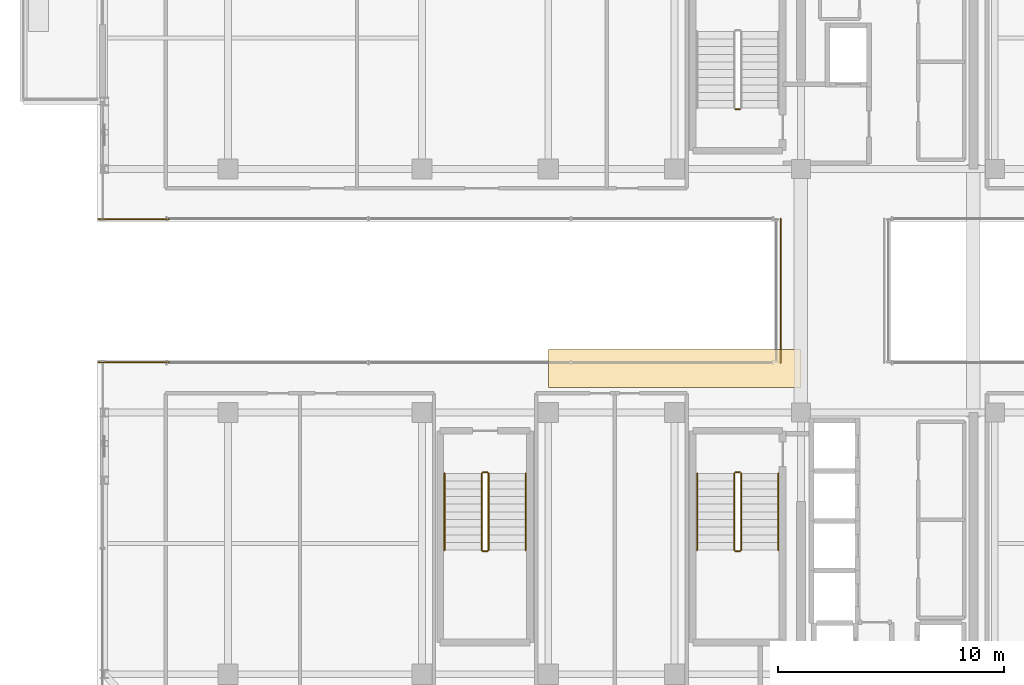
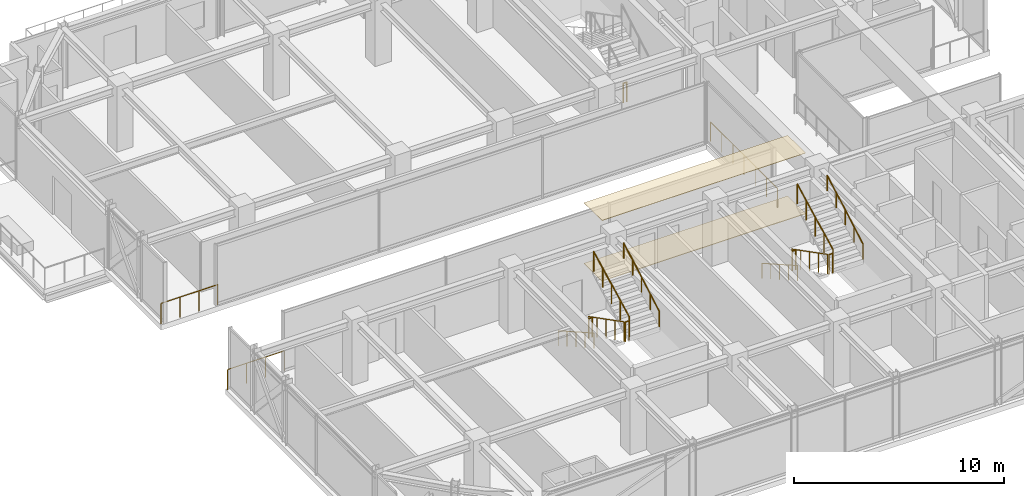
# One storey, part 37 of 40: 16 railings, 2 coverings.
"""IFC4 building model written with IfcOpenShell, lengths in metres."""

from ifc_helpers import new_model, si_unit, direction, frame, origin, origin_2d, place, context, subcontext, project, spatial, polyline, circle, outline, extrude, material, layer, layer_set, type_object, element, save


model = new_model("IFC4")

# Units and contexts
model_context = context("Model", 3, precision=1e-05, world=origin(), true_north=direction((0.0, 1.0)))
body_context = subcontext(model_context, "Body", "Model", "MODEL_VIEW")
ifc_project = project(units=[si_unit("LENGTHUNIT", "METRE"), si_unit("AREAUNIT", "SQUARE_METRE"), si_unit("VOLUMEUNIT", "CUBIC_METRE"), si_unit("PLANEANGLEUNIT", "RADIAN"), si_unit("MASSUNIT", "GRAM", prefix="KILO")], contexts=[model_context])

# Site, building, storey
site_placement = place(None, origin())
site = spatial("IfcSite", under=ifc_project, at=site_placement, CompositionType="ELEMENT")
building_placement = place(site_placement, origin())
building = spatial("IfcBuilding", under=site, at=building_placement, Name="Nahalor Promenade Grand Hotel", CompositionType="ELEMENT")
storey_placement = place(building_placement, frame((0.0, 0.0, 288.800048828125)))
storey = spatial("IfcBuildingStorey", under=building, at=storey_placement, Name="L74", CompositionType="ELEMENT", Elevation=288.800048828125)

# Covering
ifc_material_1 = material(Name="Acoustic Mineral Gypsum", Category="gypsum")
ifc_layer_1 = layer(ifc_material_1, 0.02490234375)
ifc_layer_set_1 = layer_set([ifc_layer_1], Name="Acoustic Mineral Gypsum")
covering_type_1 = type_object("IfcCoveringType", Name="Acoustic Suspended Ceiling Tile", PredefinedType="CEILING", material=ifc_layer_set_1)
covering_1_placement = place(storey_placement, frame((0.0, 0.0, 3.52490234375)))
element("IfcCovering", 1, at=covering_1_placement, inside=storey, type_object=covering_type_1, Name="CV-CEIL-L74", PredefinedType="CEILING", context=body_context, shape_type="SweptSolid", body=[
    extrude(outline(polyline([(-2.800048828125, -4.300048828125), (8.39990234375, -4.300048828125), (8.39990234375, -2.60009765625), (-2.800048828125, -2.60009765625), (-2.800048828125, -4.300048828125)])), origin(), (0.0, 0.0, 1.0), 0.025146484375),
])

# Railings
ifc_material_2 = material(Name="Anodised Bronze Aluminium EN AW-6063 T6", Category="aluminium")
railing_type_1 = type_object("IfcRailingType", Name="Bronze Balcony Guardrail 1200 mm", PredefinedType="GUARDRAIL", material=ifc_material_2)
for number, where, name in (
    (2, (-22.739990234375, -3.1708984375, 0.0), "L74 Oculus Void Edge Guardrail WS"),
    (3, (-22.739990234375, 3.1708984375, 0.0), "L74 Oculus Void Edge Guardrail WN"),
):
    element("IfcRailing", number, at=place(storey_placement, frame(where)), inside=storey, type_object=railing_type_1, Name=name, PredefinedType="GUARDRAIL", context=body_context, shape_type="SweptSolid", body=[
        extrude(circle(Radius=0.024048, at=origin_2d()), frame((0.0, 0.0, 1.17578125), z_axis=(1.0, 0.0, 0.0), x_axis=(0.0, 1.0, 0.0)), (0.0, 0.0, 1.0), 3.119873046875),
        extrude(circle(Radius=0.020996, at=origin_2d()), origin(), (0.0, 0.0, 1.0), 1.14990234375),
        extrude(circle(Radius=0.020996, at=origin_2d()), frame((1.0400390625, 0.0, 0.0)), (0.0, 0.0, 1.0), 1.14990234375),
        extrude(circle(Radius=0.020996, at=origin_2d()), frame((2.079833984375, 0.0, 0.0)), (0.0, 0.0, 1.0), 1.14990234375),
        extrude(circle(Radius=0.020996, at=origin_2d()), frame((3.119873046875, 0.0, 0.0)), (0.0, 0.0, 1.0), 1.14990234375),
    ])
railing_type_2 = type_object("IfcRailingType", Name="Bronze Sky Balustrade 1150 mm", PredefinedType="BALUSTRADE", material=ifc_material_2)
railing_1_placement = place(storey_placement, frame((7.5, -3.19091796875, 0.0)))
element("IfcRailing", 4, at=railing_1_placement, inside=storey, type_object=railing_type_2, Name="BL-L74-BRG-W", PredefinedType="BALUSTRADE", context=body_context, shape_type="SweptSolid", body=[
    extrude(circle(Radius=0.024048, at=origin_2d()), frame((0.0, 0.0, 1.1259765625), z_axis=(0.0, 1.0, 0.0), x_axis=(-1.0, 0.0, 0.0)), (0.0, 0.0, 1.0), 6.3818359375),
    extrude(circle(Radius=0.020996, at=origin_2d()), origin(), (0.0, 0.0, 1.0), 1.099853515625),
    extrude(circle(Radius=0.020996, at=origin_2d()), frame((0.0, 1.063720703125, 0.0)), (0.0, 0.0, 1.0), 1.099853515625),
    extrude(circle(Radius=0.020996, at=origin_2d()), frame((0.0, 2.127197265625, 0.0)), (0.0, 0.0, 1.0), 1.099853515625),
    extrude(circle(Radius=0.020996, at=origin_2d()), frame((0.0, 3.19091796875, 0.0)), (0.0, 0.0, 1.0), 1.099853515625),
    extrude(circle(Radius=0.020996, at=origin_2d()), frame((0.0, 4.254638671875, 0.0)), (0.0, 0.0, 1.0), 1.099853515625),
    extrude(circle(Radius=0.020996, at=origin_2d()), frame((0.0, 5.318115234375, 0.0)), (0.0, 0.0, 1.0), 1.099853515625),
    extrude(circle(Radius=0.020996, at=origin_2d()), frame((0.0, 6.3818359375, 0.0)), (0.0, 0.0, 1.0), 1.099853515625),
])

# Covering
ifc_material_3 = material(Name="Jerusalem Limestone Flooring", Category="masonry")
ifc_layer_2 = layer(ifc_material_3, 0.030029296875)
ifc_layer_set_2 = layer_set([ifc_layer_2], Name="Jerusalem Limestone Flooring")
covering_type_2 = type_object("IfcCoveringType", Name="Honed Limestone Floor Finish", PredefinedType="FLOORING", material=ifc_layer_set_2)
covering_2_placement = place(storey_placement, origin())
element("IfcCovering", 5, at=covering_2_placement, inside=storey, type_object=covering_type_2, Name="CV-FLOR-L74", PredefinedType="FLOORING", context=body_context, shape_type="SweptSolid", body=[
    extrude(outline(polyline([(-2.800048828125, -4.300048828125), (8.39990234375, -4.300048828125), (8.39990234375, -2.60009765625), (-2.800048828125, -2.60009765625), (-2.800048828125, -4.300048828125)])), origin(), (0.0, 0.0, 1.0), 0.030029296875),
])

# Railings
ifc_material_4 = material(Name="Steel S355JR", Category="steel")
railing_type_3 = type_object("IfcRailingType", Name="Steel Stair Guardrail 1150 mm", PredefinedType="GUARDRAIL", material=ifc_material_4)
railing_2_placement = place(storey_placement, frame((5.699951171875, 8.050048828125, 0.0)))
element("IfcRailing", 6, at=railing_2_placement, inside=storey, type_object=railing_type_3, Name="L74 ST1 stair guard 4", PredefinedType="GUARDRAIL", context=body_context, shape_type="SweptSolid", body=[
    extrude(circle(Radius=0.024048, at=origin_2d()), frame((0.0, 0.0, 1.1259765625), z_axis=(-1.0, 0.0, 0.0), x_axis=(0.0, -1.0, 0.0)), (0.0, 0.0, 1.0), 0.199951171875),
    extrude(circle(Radius=0.020996, at=origin_2d()), origin(), (0.0, 0.0, 1.0), 1.099853515625),
    extrude(circle(Radius=0.020996, at=origin_2d()), frame((-0.199951171875, 0.0, 0.0)), (0.0, 0.0, 1.0), 1.099853515625),
])
railing_3_placement = place(storey_placement, frame((5.449951171875, -8.10009765625, 0.175048828125)))
element("IfcRailing", 7, at=railing_3_placement, inside=storey, type_object=railing_type_3, Name="L74 ST2 stair guard 1", PredefinedType="GUARDRAIL", context=body_context, shape_type="SweptSolid", body=[
    extrude(circle(Radius=0.024048, at=origin_2d()), frame((0.0, 0.0, 1.1259765625), z_axis=(0.0, -0.889130461562, 0.457653823673), x_axis=(1.0, 0.0, 0.0)), (0.0, 0.0, 1.0), 3.82373046875),
    extrude(circle(Radius=0.020996, at=origin_2d()), origin(), (0.0, 0.0, 1.0), 1.099853515625),
    extrude(circle(Radius=0.020996, at=origin_2d()), frame((0.0, -0.85009765625, 0.4375)), (0.0, 0.0, 1.0), 1.099853515625),
    extrude(circle(Radius=0.020996, at=origin_2d()), frame((0.0, -1.699951171875, 0.875)), (0.0, 0.0, 1.0), 1.099853515625),
    extrude(circle(Radius=0.020996, at=origin_2d()), frame((0.0, -2.5498046875, 1.3125)), (0.0, 0.0, 1.0), 1.099853515625),
    extrude(circle(Radius=0.020996, at=origin_2d()), frame((0.0, -3.39990234375, 1.75)), (0.0, 0.0, 1.0), 1.099853515625),
])
railing_4_placement = place(storey_placement, frame((5.5, -11.550048828125, 1.925048828125)))
element("IfcRailing", 8, at=railing_4_placement, inside=storey, type_object=railing_type_3, Name="L74 ST2 stair guard 2", PredefinedType="GUARDRAIL", context=body_context, shape_type="SweptSolid", body=[
    extrude(circle(Radius=0.024048, at=origin_2d()), frame((0.0, 0.0, 1.1259765625), z_axis=(1.0, 0.0, 0.0), x_axis=(0.0, 1.0, 0.0)), (0.0, 0.0, 1.0), 0.199951171875),
    extrude(circle(Radius=0.020996, at=origin_2d()), origin(), (0.0, 0.0, 1.0), 1.099853515625),
    extrude(circle(Radius=0.020996, at=origin_2d()), frame((0.199951171875, 0.0, 0.0)), (0.0, 0.0, 1.0), 1.099853515625),
])
railing_5_placement = place(storey_placement, frame((5.75, -11.5, 2.099853515625)))
element("IfcRailing", 9, at=railing_5_placement, inside=storey, type_object=railing_type_3, Name="L74 ST2 stair guard 3", PredefinedType="GUARDRAIL", context=body_context, shape_type="SweptSolid", body=[
    extrude(circle(Radius=0.024048, at=origin_2d()), frame((0.0, 0.0, 1.1259765625), z_axis=(0.0, 0.889130461562, 0.457653823673), x_axis=(-1.0, 0.0, 0.0)), (0.0, 0.0, 1.0), 3.82373046875),
    extrude(circle(Radius=0.020996, at=origin_2d()), origin(), (0.0, 0.0, 1.0), 1.099853515625),
    extrude(circle(Radius=0.020996, at=origin_2d()), frame((0.0, 0.85009765625, 0.4375)), (0.0, 0.0, 1.0), 1.099853515625),
    extrude(circle(Radius=0.020996, at=origin_2d()), frame((0.0, 1.699951171875, 0.875)), (0.0, 0.0, 1.0), 1.099853515625),
    extrude(circle(Radius=0.020996, at=origin_2d()), frame((0.0, 2.5498046875, 1.3125)), (0.0, 0.0, 1.0), 1.099853515625),
    extrude(circle(Radius=0.020996, at=origin_2d()), frame((0.0, 3.39990234375, 1.75)), (0.0, 0.0, 1.0), 1.099853515625),
])
railing_6_placement = place(storey_placement, frame((5.5, -8.050048828125, 0.0)))
element("IfcRailing", 10, at=railing_6_placement, inside=storey, type_object=railing_type_3, Name="L74 ST2 stair guard 4", PredefinedType="GUARDRAIL", context=body_context, shape_type="SweptSolid", body=[
    extrude(circle(Radius=0.024048, at=origin_2d()), frame((0.0, 0.0, 1.1259765625), z_axis=(1.0, 0.0, 0.0), x_axis=(0.0, 1.0, 0.0)), (0.0, 0.0, 1.0), 0.199951171875),
    extrude(circle(Radius=0.020996, at=origin_2d()), origin(), (0.0, 0.0, 1.0), 1.099853515625),
    extrude(circle(Radius=0.020996, at=origin_2d()), frame((0.199951171875, 0.0, 0.0)), (0.0, 0.0, 1.0), 1.099853515625),
])
railing_7_placement = place(storey_placement, frame((-5.75, -8.10009765625, 0.175048828125)))
element("IfcRailing", 11, at=railing_7_placement, inside=storey, type_object=railing_type_3, Name="L74 ST3 stair guard 1", PredefinedType="GUARDRAIL", context=body_context, shape_type="SweptSolid", body=[
    extrude(circle(Radius=0.024048, at=origin_2d()), frame((0.0, 0.0, 1.1259765625), z_axis=(0.0, -0.889130461562, 0.457653823673), x_axis=(1.0, 0.0, 0.0)), (0.0, 0.0, 1.0), 3.82373046875),
    extrude(circle(Radius=0.020996, at=origin_2d()), origin(), (0.0, 0.0, 1.0), 1.099853515625),
    extrude(circle(Radius=0.020996, at=origin_2d()), frame((0.0, -0.85009765625, 0.4375)), (0.0, 0.0, 1.0), 1.099853515625),
    extrude(circle(Radius=0.020996, at=origin_2d()), frame((0.0, -1.699951171875, 0.875)), (0.0, 0.0, 1.0), 1.099853515625),
    extrude(circle(Radius=0.020996, at=origin_2d()), frame((0.0, -2.5498046875, 1.3125)), (0.0, 0.0, 1.0), 1.099853515625),
    extrude(circle(Radius=0.020996, at=origin_2d()), frame((0.0, -3.39990234375, 1.75)), (0.0, 0.0, 1.0), 1.099853515625),
])
railing_8_placement = place(storey_placement, frame((-5.699951171875, -11.550048828125, 1.925048828125)))
element("IfcRailing", 12, at=railing_8_placement, inside=storey, type_object=railing_type_3, Name="L74 ST3 stair guard 2", PredefinedType="GUARDRAIL", context=body_context, shape_type="SweptSolid", body=[
    extrude(circle(Radius=0.024048, at=origin_2d()), frame((0.0, 0.0, 1.1259765625), z_axis=(1.0, 0.0, 0.0), x_axis=(0.0, 1.0, 0.0)), (0.0, 0.0, 1.0), 0.199951171875),
    extrude(circle(Radius=0.020996, at=origin_2d()), origin(), (0.0, 0.0, 1.0), 1.099853515625),
    extrude(circle(Radius=0.020996, at=origin_2d()), frame((0.199951171875, 0.0, 0.0)), (0.0, 0.0, 1.0), 1.099853515625),
])
railing_9_placement = place(storey_placement, frame((-5.449951171875, -11.5, 2.099853515625)))
element("IfcRailing", 13, at=railing_9_placement, inside=storey, type_object=railing_type_3, Name="L74 ST3 stair guard 3", PredefinedType="GUARDRAIL", context=body_context, shape_type="SweptSolid", body=[
    extrude(circle(Radius=0.024048, at=origin_2d()), frame((0.0, 0.0, 1.1259765625), z_axis=(0.0, 0.889130461562, 0.457653823673), x_axis=(-1.0, 0.0, 0.0)), (0.0, 0.0, 1.0), 3.82373046875),
    extrude(circle(Radius=0.020996, at=origin_2d()), origin(), (0.0, 0.0, 1.0), 1.099853515625),
    extrude(circle(Radius=0.020996, at=origin_2d()), frame((0.0, 0.85009765625, 0.4375)), (0.0, 0.0, 1.0), 1.099853515625),
    extrude(circle(Radius=0.020996, at=origin_2d()), frame((0.0, 1.699951171875, 0.875)), (0.0, 0.0, 1.0), 1.099853515625),
    extrude(circle(Radius=0.020996, at=origin_2d()), frame((0.0, 2.5498046875, 1.3125)), (0.0, 0.0, 1.0), 1.099853515625),
    extrude(circle(Radius=0.020996, at=origin_2d()), frame((0.0, 3.39990234375, 1.75)), (0.0, 0.0, 1.0), 1.099853515625),
])
railing_10_placement = place(storey_placement, frame((-5.699951171875, -8.050048828125, 0.0)))
element("IfcRailing", 14, at=railing_10_placement, inside=storey, type_object=railing_type_3, Name="L74 ST3 stair guard 4", PredefinedType="GUARDRAIL", context=body_context, shape_type="SweptSolid", body=[
    extrude(circle(Radius=0.024048, at=origin_2d()), frame((0.0, 0.0, 1.1259765625), z_axis=(1.0, 0.0, 0.0), x_axis=(0.0, 1.0, 0.0)), (0.0, 0.0, 1.0), 0.199951171875),
    extrude(circle(Radius=0.020996, at=origin_2d()), origin(), (0.0, 0.0, 1.0), 1.099853515625),
    extrude(circle(Radius=0.020996, at=origin_2d()), frame((0.199951171875, 0.0, 0.0)), (0.0, 0.0, 1.0), 1.099853515625),
])
railing_type_4 = type_object("IfcRailingType", Name="Steel Stair Handrail 900 mm", PredefinedType="HANDRAIL", material=ifc_material_4)
railing_11_placement = place(storey_placement, frame((3.800048828125, -8.10009765625, 0.175048828125)))
element("IfcRailing", 15, at=railing_11_placement, inside=storey, type_object=railing_type_4, Name="L74 ST2 stair handrail 1", PredefinedType="HANDRAIL", context=body_context, shape_type="SweptSolid", body=[
    extrude(circle(Radius=0.024048, at=origin_2d()), frame((0.0, 0.0, 0.8759765625), z_axis=(0.0, -0.870220461208, 0.492662510137), x_axis=(1.0, 0.0, 0.0)), (0.0, 0.0, 1.0), 3.906982421875),
    extrude(circle(Radius=0.020996, at=origin_2d()), origin(), (0.0, 0.0, 1.0), 0.849853515625),
    extrude(circle(Radius=0.020996, at=origin_2d()), frame((0.0, -0.85009765625, 0.481201171875)), (0.0, 0.0, 1.0), 0.849853515625),
    extrude(circle(Radius=0.020996, at=origin_2d()), frame((0.0, -1.699951171875, 0.96240234375)), (0.0, 0.0, 1.0), 0.849853515625),
    extrude(circle(Radius=0.020996, at=origin_2d()), frame((0.0, -2.5498046875, 1.443603515625)), (0.0, 0.0, 1.0), 0.849853515625),
    extrude(circle(Radius=0.020996, at=origin_2d()), frame((0.0, -3.39990234375, 1.9248046875)), (0.0, 0.0, 1.0), 0.849853515625),
])
railing_12_placement = place(storey_placement, frame((7.39990234375, -11.5, 2.099853515625)))
element("IfcRailing", 16, at=railing_12_placement, inside=storey, type_object=railing_type_4, Name="L74 ST2 stair handrail 2", PredefinedType="HANDRAIL", context=body_context, shape_type="SweptSolid", body=[
    extrude(circle(Radius=0.024048, at=origin_2d()), frame((0.0, 0.0, 0.8759765625), z_axis=(0.0, 0.870193670192, 0.492709829776), x_axis=(-1.0, 0.0, 0.0)), (0.0, 0.0, 1.0), 3.906982421875),
    extrude(circle(Radius=0.020996, at=origin_2d()), origin(), (0.0, 0.0, 1.0), 0.849853515625),
    extrude(circle(Radius=0.020996, at=origin_2d()), frame((0.0, 0.85009765625, 0.481201171875)), (0.0, 0.0, 1.0), 0.849853515625),
    extrude(circle(Radius=0.020996, at=origin_2d()), frame((0.0, 1.699951171875, 0.96240234375)), (0.0, 0.0, 1.0), 0.849853515625),
    extrude(circle(Radius=0.020996, at=origin_2d()), frame((0.0, 2.5498046875, 1.44384765625)), (0.0, 0.0, 1.0), 0.849853515625),
    extrude(circle(Radius=0.020996, at=origin_2d()), frame((0.0, 3.39990234375, 1.925048828125)), (0.0, 0.0, 1.0), 0.849853515625),
])
railing_13_placement = place(storey_placement, frame((-7.39990234375, -8.10009765625, 0.175048828125)))
element("IfcRailing", 17, at=railing_13_placement, inside=storey, type_object=railing_type_4, Name="L74 ST3 stair handrail 1", PredefinedType="HANDRAIL", context=body_context, shape_type="SweptSolid", body=[
    extrude(circle(Radius=0.024048, at=origin_2d()), frame((0.0, 0.0, 0.8759765625), z_axis=(0.0, -0.870220461208, 0.492662510137), x_axis=(1.0, 0.0, 0.0)), (0.0, 0.0, 1.0), 3.906982421875),
    extrude(circle(Radius=0.020996, at=origin_2d()), origin(), (0.0, 0.0, 1.0), 0.849853515625),
    extrude(circle(Radius=0.020996, at=origin_2d()), frame((0.0, -0.85009765625, 0.481201171875)), (0.0, 0.0, 1.0), 0.849853515625),
    extrude(circle(Radius=0.020996, at=origin_2d()), frame((0.0, -1.699951171875, 0.96240234375)), (0.0, 0.0, 1.0), 0.849853515625),
    extrude(circle(Radius=0.020996, at=origin_2d()), frame((0.0, -2.5498046875, 1.443603515625)), (0.0, 0.0, 1.0), 0.849853515625),
    extrude(circle(Radius=0.020996, at=origin_2d()), frame((0.0, -3.39990234375, 1.9248046875)), (0.0, 0.0, 1.0), 0.849853515625),
])
railing_14_placement = place(storey_placement, frame((-3.800048828125, -11.5, 2.099853515625)))
element("IfcRailing", 18, at=railing_14_placement, inside=storey, type_object=railing_type_4, Name="L74 ST3 stair handrail 2", PredefinedType="HANDRAIL", context=body_context, shape_type="SweptSolid", body=[
    extrude(circle(Radius=0.024048, at=origin_2d()), frame((0.0, 0.0, 0.8759765625), z_axis=(0.0, 0.870193670192, 0.492709829776), x_axis=(-1.0, 0.0, 0.0)), (0.0, 0.0, 1.0), 3.906982421875),
    extrude(circle(Radius=0.020996, at=origin_2d()), origin(), (0.0, 0.0, 1.0), 0.849853515625),
    extrude(circle(Radius=0.020996, at=origin_2d()), frame((0.0, 0.85009765625, 0.481201171875)), (0.0, 0.0, 1.0), 0.849853515625),
    extrude(circle(Radius=0.020996, at=origin_2d()), frame((0.0, 1.699951171875, 0.96240234375)), (0.0, 0.0, 1.0), 0.849853515625),
    extrude(circle(Radius=0.020996, at=origin_2d()), frame((0.0, 2.5498046875, 1.44384765625)), (0.0, 0.0, 1.0), 0.849853515625),
    extrude(circle(Radius=0.020996, at=origin_2d()), frame((0.0, 3.39990234375, 1.925048828125)), (0.0, 0.0, 1.0), 0.849853515625),
])

save(model, "model.ifc")
